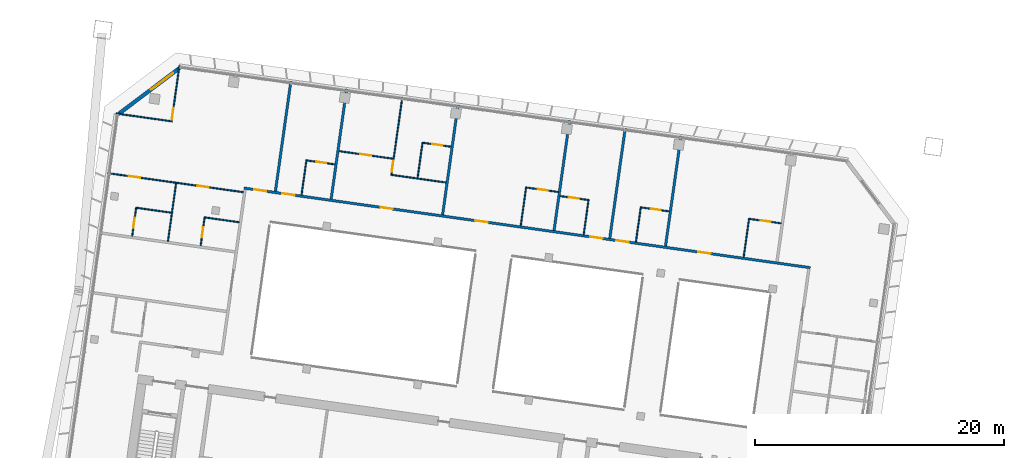
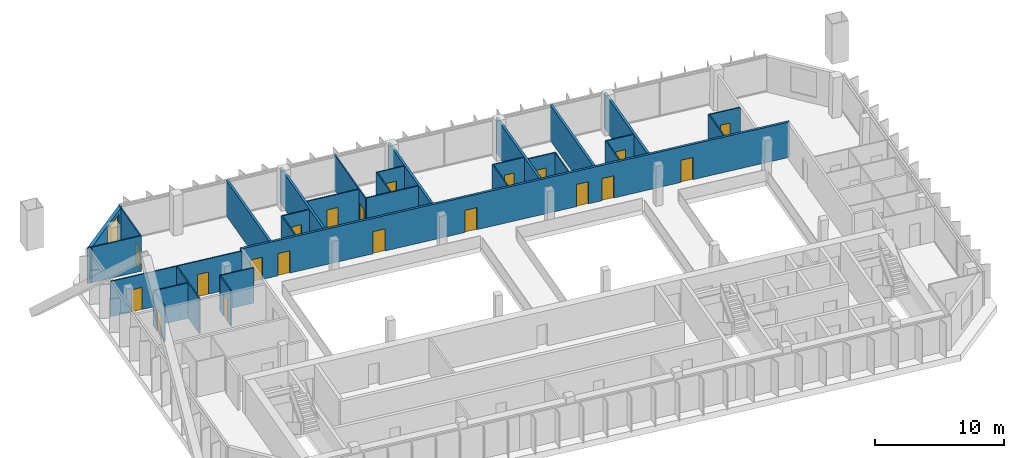
# One storey, part 18 of 28: 31 walls, 20 doors, 1 window, 21 openings.
"""IFC4 building model written with IfcOpenShell, lengths in metres."""

from ifc_helpers import new_model, si_unit, direction, frame, frame_2d, origin, place, context, subcontext, project, spatial, rectangle, extrude, material, layer, layer_set, type_object, element, fill, save


model = new_model("IFC4")

# Units and contexts
model_context = context("Model", 3, precision=1e-05, world=origin(), true_north=direction((0.0, 1.0)))
body_context = subcontext(model_context, "Body", "Model", "MODEL_VIEW")
ifc_project = project(units=[si_unit("LENGTHUNIT", "METRE"), si_unit("AREAUNIT", "SQUARE_METRE"), si_unit("VOLUMEUNIT", "CUBIC_METRE"), si_unit("PLANEANGLEUNIT", "RADIAN"), si_unit("MASSUNIT", "GRAM", prefix="KILO")], contexts=[model_context])

# Site, building, storey
site_placement = place(None, origin())
site = spatial("IfcSite", under=ifc_project, at=site_placement, CompositionType="ELEMENT")
building_placement = place(site_placement, origin())
building = spatial("IfcBuilding", under=site, at=building_placement, Name="Mirante Cascada Hotel Towers", CompositionType="ELEMENT")
storey_placement = place(building_placement, frame((0.0, 0.0, 165.0)))
storey = spatial("IfcBuildingStorey", under=building, at=storey_placement, Name="L38", CompositionType="ELEMENT", Elevation=165.0)

# Wall, openings, doors
ifc_material_1 = material(Name="Fire-rated plasterboard on metal studs")
ifc_layer_1 = layer(ifc_material_1, 0.2)
ifc_layer_set_1 = layer_set([ifc_layer_1], Name="Compartment wall 200 EI 120")
wall_type_1 = type_object("IfcWallType", Name="Compartment wall 200 EI 120", PredefinedType="PARTITIONING", material=ifc_layer_set_1)
wall_1_placement = place(storey_placement, frame((-34.6489, 8.7516, 0.0), z_axis=(0.0, 0.0, 1.0), x_axis=(-0.9902679, 0.1391743, 0.0)))
wall_1 = element("IfcWall", 1, at=wall_1_placement, inside=storey, type_object=wall_type_1, Name="Wall 1-L38-15", PredefinedType="PARTITIONING", context=body_context, shape_type="SweptSolid", body=[
    extrude(rectangle(XDim=45.9, YDim=0.2, at=frame_2d((22.95, 0.0))), origin(), (0.0, 0.0, 1.0), 3.35),
])
opening_1_placement = place(wall_1_placement, frame((8.081, 0.0, 0.0)))
opening_1 = element("IfcOpeningElement", 2, at=opening_1_placement, cuts=wall_1, Name="Opening D1-L38-11", PredefinedType="OPENING", context=body_context, shape_type="SweptSolid", body=[
    extrude(rectangle(XDim=1.0, YDim=2.1, at=frame_2d((0.5, 1.05))), frame((0.0, 0.1, 0.0), z_axis=(0.0, -1.0, 0.0), x_axis=(1.0, 0.0, 0.0)), (0.0, 0.0, 1.0), 0.2),
])
opening_2_placement = place(wall_1_placement, frame((14.7064, 0.0, 0.0)))
opening_2 = element("IfcOpeningElement", 3, at=opening_2_placement, cuts=wall_1, Name="Opening D1-L38-12", PredefinedType="OPENING", context=body_context, shape_type="SweptSolid", body=[
    extrude(rectangle(XDim=1.0, YDim=2.1, at=frame_2d((0.5, 1.05))), frame((0.0, 0.1, 0.0), z_axis=(0.0, -1.0, 0.0), x_axis=(1.0, 0.0, 0.0)), (0.0, 0.0, 1.0), 0.2),
])
opening_3_placement = place(wall_1_placement, frame((16.8233, 0.0, 0.0)))
opening_3 = element("IfcOpeningElement", 4, at=opening_3_placement, cuts=wall_1, Name="Opening D1-L38-13", PredefinedType="OPENING", context=body_context, shape_type="SweptSolid", body=[
    extrude(rectangle(XDim=1.0, YDim=2.1, at=frame_2d((0.5, 1.05))), frame((0.0, 0.1, 0.0), z_axis=(0.0, -1.0, 0.0), x_axis=(1.0, 0.0, 0.0)), (0.0, 0.0, 1.0), 0.2),
])
opening_4_placement = place(wall_1_placement, frame((26.1486, 0.0, 0.0)))
opening_4 = element("IfcOpeningElement", 5, at=opening_4_placement, cuts=wall_1, Name="Opening D1-L38-14", PredefinedType="OPENING", context=body_context, shape_type="SweptSolid", body=[
    extrude(rectangle(XDim=1.0, YDim=2.1, at=frame_2d((0.5, 1.05))), frame((0.0, 0.1, 0.0), z_axis=(0.0, -1.0, 0.0), x_axis=(1.0, 0.0, 0.0)), (0.0, 0.0, 1.0), 0.2),
])
opening_5_placement = place(wall_1_placement, frame((33.8324, 0.0, 0.0)))
opening_5 = element("IfcOpeningElement", 6, at=opening_5_placement, cuts=wall_1, Name="Opening D1-L38-15", PredefinedType="OPENING", context=body_context, shape_type="SweptSolid", body=[
    extrude(rectangle(XDim=1.0, YDim=2.1, at=frame_2d((0.5, 1.05))), frame((0.0, 0.1, 0.0), z_axis=(0.0, -1.0, 0.0), x_axis=(1.0, 0.0, 0.0)), (0.0, 0.0, 1.0), 0.2),
])
opening_6_placement = place(wall_1_placement, frame((41.8077, 0.0, 0.0)))
opening_6 = element("IfcOpeningElement", 7, at=opening_6_placement, cuts=wall_1, Name="Opening D1-L38-16", PredefinedType="OPENING", context=body_context, shape_type="SweptSolid", body=[
    extrude(rectangle(XDim=1.0, YDim=2.1, at=frame_2d((0.5, 1.05))), frame((0.0, 0.1, 0.0), z_axis=(0.0, -1.0, 0.0), x_axis=(1.0, 0.0, 0.0)), (0.0, 0.0, 1.0), 0.2),
])
opening_7_placement = place(wall_1_placement, frame((44.0831, 0.0, 0.0)))
opening_7 = element("IfcOpeningElement", 8, at=opening_7_placement, cuts=wall_1, Name="Opening D1-L38-17", PredefinedType="OPENING", context=body_context, shape_type="SweptSolid", body=[
    extrude(rectangle(XDim=1.0, YDim=2.1, at=frame_2d((0.5, 1.05))), frame((0.0, 0.1, 0.0), z_axis=(0.0, -1.0, 0.0), x_axis=(1.0, 0.0, 0.0)), (0.0, 0.0, 1.0), 0.2),
])
ifc_material_2 = material(Name="Fire-rated timber door leaf", Category="wood")
door_type_1 = type_object("IfcDoorType", Name="Entrance door DG1 1000x2100 EI 60", OperationType="SINGLE_SWING_LEFT", PredefinedType="DOOR", material=ifc_material_2)
door_1_placement = place(opening_1_placement, frame((1.0, 0.0, 0.0), z_axis=(0.0, 0.0, 1.0), x_axis=(-1.0, 0.0, 0.0)))
door_1 = element("IfcDoor", 9, at=door_1_placement, inside=storey, type_object=door_type_1, Name="Door D1-L38-11", OperationType="SINGLE_SWING_RIGHT", OverallHeight=2.1, OverallWidth=1.0, PredefinedType="DOOR", context=body_context, shape_type="SweptSolid", body=[
    extrude(rectangle(XDim=1.0, YDim=2.1, at=frame_2d((0.5, 1.05))), frame((0.0, 0.025, 0.0), z_axis=(0.0, -1.0, 0.0), x_axis=(1.0, 0.0, 0.0)), (0.0, 0.0, 1.0), 0.05),
])
fill(opening_1, door_1)
door_2_placement = place(opening_2_placement, frame((1.0, 0.0, 0.0), z_axis=(0.0, 0.0, 1.0), x_axis=(-1.0, 0.0, 0.0)))
door_2 = element("IfcDoor", 10, at=door_2_placement, inside=storey, type_object=door_type_1, Name="Door D1-L38-12", OperationType="SINGLE_SWING_RIGHT", OverallHeight=2.1, OverallWidth=1.0, PredefinedType="DOOR", context=body_context, shape_type="SweptSolid", body=[
    extrude(rectangle(XDim=1.0, YDim=2.1, at=frame_2d((0.5, 1.05))), frame((0.0, 0.025, 0.0), z_axis=(0.0, -1.0, 0.0), x_axis=(1.0, 0.0, 0.0)), (0.0, 0.0, 1.0), 0.05),
])
fill(opening_2, door_2)
door_3_placement = place(opening_3_placement, frame((1.0, 0.0, 0.0), z_axis=(0.0, 0.0, 1.0), x_axis=(-1.0, 0.0, 0.0)))
door_3 = element("IfcDoor", 11, at=door_3_placement, inside=storey, type_object=door_type_1, Name="Door D1-L38-13", OperationType="SINGLE_SWING_RIGHT", OverallHeight=2.1, OverallWidth=1.0, PredefinedType="DOOR", context=body_context, shape_type="SweptSolid", body=[
    extrude(rectangle(XDim=1.0, YDim=2.1, at=frame_2d((0.5, 1.05))), frame((0.0, 0.025, 0.0), z_axis=(0.0, -1.0, 0.0), x_axis=(1.0, 0.0, 0.0)), (0.0, 0.0, 1.0), 0.05),
])
fill(opening_3, door_3)
door_4_placement = place(opening_4_placement, frame((1.0, 0.0, 0.0), z_axis=(0.0, 0.0, 1.0), x_axis=(-1.0, 0.0, 0.0)))
door_4 = element("IfcDoor", 12, at=door_4_placement, inside=storey, type_object=door_type_1, Name="Door D1-L38-14", OperationType="SINGLE_SWING_RIGHT", OverallHeight=2.1, OverallWidth=1.0, PredefinedType="DOOR", context=body_context, shape_type="SweptSolid", body=[
    extrude(rectangle(XDim=1.0, YDim=2.1, at=frame_2d((0.5, 1.05))), frame((0.0, 0.025, 0.0), z_axis=(0.0, -1.0, 0.0), x_axis=(1.0, 0.0, 0.0)), (0.0, 0.0, 1.0), 0.05),
])
fill(opening_4, door_4)
door_5_placement = place(opening_5_placement, frame((1.0, 0.0, 0.0), z_axis=(0.0, 0.0, 1.0), x_axis=(-1.0, 0.0, 0.0)))
door_5 = element("IfcDoor", 13, at=door_5_placement, inside=storey, type_object=door_type_1, Name="Door D1-L38-15", OperationType="SINGLE_SWING_RIGHT", OverallHeight=2.1, OverallWidth=1.0, PredefinedType="DOOR", context=body_context, shape_type="SweptSolid", body=[
    extrude(rectangle(XDim=1.0, YDim=2.1, at=frame_2d((0.5, 1.05))), frame((0.0, 0.025, 0.0), z_axis=(0.0, -1.0, 0.0), x_axis=(1.0, 0.0, 0.0)), (0.0, 0.0, 1.0), 0.05),
])
fill(opening_5, door_5)
door_6_placement = place(opening_6_placement, frame((1.0, 0.0, 0.0), z_axis=(0.0, 0.0, 1.0), x_axis=(-1.0, 0.0, 0.0)))
door_6 = element("IfcDoor", 14, at=door_6_placement, inside=storey, type_object=door_type_1, Name="Door D1-L38-16", OperationType="SINGLE_SWING_RIGHT", OverallHeight=2.1, OverallWidth=1.0, PredefinedType="DOOR", context=body_context, shape_type="SweptSolid", body=[
    extrude(rectangle(XDim=1.0, YDim=2.1, at=frame_2d((0.5, 1.05))), frame((0.0, 0.025, 0.0), z_axis=(0.0, -1.0, 0.0), x_axis=(1.0, 0.0, 0.0)), (0.0, 0.0, 1.0), 0.05),
])
fill(opening_6, door_6)
door_7_placement = place(opening_7_placement, frame((1.0, 0.0, 0.0), z_axis=(0.0, 0.0, 1.0), x_axis=(-1.0, 0.0, 0.0)))
door_7 = element("IfcDoor", 15, at=door_7_placement, inside=storey, type_object=door_type_1, Name="Door D1-L38-17", OperationType="SINGLE_SWING_RIGHT", OverallHeight=2.1, OverallWidth=1.0, PredefinedType="DOOR", context=body_context, shape_type="SweptSolid", body=[
    extrude(rectangle(XDim=1.0, YDim=2.1, at=frame_2d((0.5, 1.05))), frame((0.0, 0.025, 0.0), z_axis=(0.0, -1.0, 0.0), x_axis=(1.0, 0.0, 0.0)), (0.0, 0.0, 1.0), 0.05),
])
fill(opening_7, door_7)

# Walls
wall_2_placement = place(storey_placement, frame((-45.0299, 19.299, 0.0), z_axis=(0.0, 0.0, 1.0), x_axis=(-0.139181, -0.990267, 0.0)))
element("IfcWall", 16, at=wall_2_placement, inside=storey, type_object=wall_type_1, Name="Wall 1-L38-32", PredefinedType="PARTITIONING", context=body_context, shape_type="SweptSolid", body=[
    extrude(rectangle(XDim=8.8999, YDim=0.2, at=frame_2d((4.45, 0.0))), origin(), (0.0, 0.0, 1.0), 3.35),
])
for number, where, z_axis, x_axis, name in (
    (17, (-49.5029, 19.9277, 0.0), (0.0, 0.0, 1.0), (-0.1391684, -0.9902687, 0.0), "Wall 1-L38-34"),
    (18, (-53.9758, 20.5563, 0.0), (0.0, 0.0, 1.0), (-0.1391684, -0.9902687, 0.0), "Wall 1-L38-36"),
    (19, (-62.9217, 21.8136, 0.0), (0.0, 0.0, 1.0), (-0.1391684, -0.9902687, 0.0), "Wall 1-L38-38"),
    (20, (-73.1062, 14.2574, 0.0), (0.0, 0.0, 1.0), (0.1391684, 0.9902687, 0.0), "Wall 1-L38-41"),
    (21, (-77.5792, 14.8861, 0.0), (0.0, 0.0, 1.0), (0.1391794, 0.9902672, 0.0), "Wall 1-L38-43"),
):
    element("IfcWall", number, at=place(storey_placement, frame(where, z_axis=z_axis, x_axis=x_axis)), inside=storey, type_object=wall_type_1, Name=name, PredefinedType="PARTITIONING", context=body_context, shape_type="SweptSolid", body=[
        extrude(rectangle(XDim=8.9, YDim=0.2, at=frame_2d((4.45, 0.0))), origin(), (0.0, 0.0, 1.0), 3.35),
    ])
ifc_material_3 = material(Name="Plasterboard on metal studs")
ifc_layer_2 = layer(ifc_material_3, 0.1)
ifc_layer_set_2 = layer_set([ifc_layer_2], Name="Partition 100")
wall_type_2 = type_object("IfcWallType", Name="Partition 100", PredefinedType="PARTITIONING", material=ifc_layer_set_2)
wall_3_placement = place(storey_placement, frame((-83.3095, 12.7966, 0.0), z_axis=(0.0, 0.0, 1.0), x_axis=(0.9902649, -0.1391957, 0.0)))
element("IfcWall", 22, at=wall_3_placement, inside=storey, type_object=wall_type_2, Name="Wall 1-L38-12", PredefinedType="PARTITIONING", context=body_context, shape_type="SweptSolid", body=[
    extrude(rectangle(XDim=2.8499, YDim=0.1, at=frame_2d((1.425, 0.0))), origin(), (0.0, 0.0, 1.0), 3.35),
])
wall_4_placement = place(storey_placement, frame((-85.9337, 13.1654, 0.0), z_axis=(0.0, 0.0, 1.0), x_axis=(-0.9902683, 0.1391714, 0.0)))
element("IfcWall", 23, at=wall_4_placement, inside=storey, type_object=wall_type_2, Name="Wall 1-L38-13", PredefinedType="PARTITIONING", context=body_context, shape_type="SweptSolid", body=[
    extrude(rectangle(XDim=2.9, YDim=0.1, at=frame_2d((1.45, 0.0))), origin(), (0.0, 0.0, 1.0), 3.35),
])

# Wall, openings, doors
wall_5_placement = place(storey_placement, frame((-91.0415, 16.3405, 0.0), z_axis=(0.0, 0.0, 1.0), x_axis=(0.990268, -0.1391733, 0.0)))
wall_5 = element("IfcWall", 24, at=wall_5_placement, inside=storey, type_object=wall_type_2, Name="Wall 1-L38-14", PredefinedType="PARTITIONING", context=body_context, shape_type="SweptSolid", body=[
    extrude(rectangle(XDim=11.0, YDim=0.1, at=frame_2d((5.5, 0.0))), origin(), (0.0, 0.0, 1.0), 3.35),
])
opening_8_placement = place(wall_5_placement, frame((7.275, 0.0, 0.0)))
opening_8 = element("IfcOpeningElement", 25, at=opening_8_placement, cuts=wall_5, Name="Opening D1-L38-09", PredefinedType="OPENING", context=body_context, shape_type="SweptSolid", body=[
    extrude(rectangle(XDim=0.9, YDim=2.1, at=frame_2d((0.45, 1.05))), frame((0.0, 0.05, 0.0), z_axis=(0.0, -1.0, 0.0), x_axis=(1.0, 0.0, 0.0)), (0.0, 0.0, 1.0), 0.1),
])
opening_9_placement = place(wall_5_placement, frame((1.725, 0.0, 0.0)))
opening_9 = element("IfcOpeningElement", 26, at=opening_9_placement, cuts=wall_5, Name="Opening D1-L38-10", PredefinedType="OPENING", context=body_context, shape_type="SweptSolid", body=[
    extrude(rectangle(XDim=0.9, YDim=2.1, at=frame_2d((0.45, 1.05))), frame((0.0, 0.05, 0.0), z_axis=(0.0, -1.0, 0.0), x_axis=(1.0, 0.0, 0.0)), (0.0, 0.0, 1.0), 0.1),
])
ifc_material_4 = material(Name="Timber door leaf", Category="wood")
door_type_2 = type_object("IfcDoorType", Name="Room door DG3 900x2100", OperationType="SINGLE_SWING_LEFT", PredefinedType="DOOR", material=ifc_material_4)
door_8_placement = place(opening_8_placement, origin())
door_8 = element("IfcDoor", 27, at=door_8_placement, inside=storey, type_object=door_type_2, Name="Door D1-L38-09", OperationType="SINGLE_SWING_LEFT", OverallHeight=2.1, OverallWidth=0.9, PredefinedType="DOOR", context=body_context, shape_type="SweptSolid", body=[
    extrude(rectangle(XDim=0.9, YDim=2.1, at=frame_2d((0.45, 1.05))), frame((0.0, 0.025, 0.0), z_axis=(0.0, -1.0, 0.0), x_axis=(1.0, 0.0, 0.0)), (0.0, 0.0, 1.0), 0.05),
])
fill(opening_8, door_8)
door_9_placement = place(opening_9_placement, origin())
door_9 = element("IfcDoor", 28, at=door_9_placement, inside=storey, type_object=door_type_2, Name="Door D1-L38-10", OperationType="SINGLE_SWING_LEFT", OverallHeight=2.1, OverallWidth=0.9, PredefinedType="DOOR", context=body_context, shape_type="SweptSolid", body=[
    extrude(rectangle(XDim=0.9, YDim=2.1, at=frame_2d((0.45, 1.05))), frame((0.0, 0.025, 0.0), z_axis=(0.0, -1.0, 0.0), x_axis=(1.0, 0.0, 0.0)), (0.0, 0.0, 1.0), 0.05),
])
fill(opening_9, door_9)

# Wall
wall_6_placement = place(storey_placement, frame((-68.2219, 16.1965, 0.0), z_axis=(0.0, 0.0, 1.0), x_axis=(0.9902698, -0.1391608, 0.0)))
element("IfcWall", 29, at=wall_6_placement, inside=storey, type_object=wall_type_2, Name="Wall 1-L38-16", PredefinedType="PARTITIONING", context=body_context, shape_type="SweptSolid", body=[
    extrude(rectangle(XDim=4.3669, YDim=0.1, at=frame_2d((2.1834, 0.0))), origin(), (0.0, 0.0, 1.0), 3.35),
])

# Wall, opening, door
wall_7_placement = place(storey_placement, frame((-45.9779, 13.2723, 0.0), z_axis=(0.0, 0.0, 1.0), x_axis=(-0.9902643, 0.1391997, 0.0)))
wall_7 = element("IfcWall", 30, at=wall_7_placement, inside=storey, type_object=wall_type_2, Name="Wall 1-L38-17", PredefinedType="PARTITIONING", context=body_context, shape_type="SweptSolid", body=[
    extrude(rectangle(XDim=2.25, YDim=0.1, at=frame_2d((1.125, 0.0))), origin(), (0.0, 0.0, 1.0), 3.35),
])
opening_10_placement = place(wall_7_placement, frame((0.7, 0.0, 0.0)))
opening_10 = element("IfcOpeningElement", 31, at=opening_10_placement, cuts=wall_7, Name="Opening D1-L38-18", PredefinedType="OPENING", context=body_context, shape_type="SweptSolid", body=[
    extrude(rectangle(XDim=0.8, YDim=2.1, at=frame_2d((0.4, 1.05))), frame((0.0, 0.05, 0.0), z_axis=(0.0, -1.0, 0.0), x_axis=(1.0, 0.0, 0.0)), (0.0, 0.0, 1.0), 0.1),
])
ifc_material_5 = material(Name="Timber door leaf", Category="wood")
door_type_3 = type_object("IfcDoorType", Name="Bathroom door DG4 800x2100", OperationType="SINGLE_SWING_LEFT", PredefinedType="DOOR", material=ifc_material_5)
door_10_placement = place(opening_10_placement, frame((0.8, 0.0, 0.0), z_axis=(0.0, 0.0, 1.0), x_axis=(-1.0, 0.0, 0.0)))
door_10 = element("IfcDoor", 32, at=door_10_placement, inside=storey, type_object=door_type_3, Name="Door D1-L38-18", OperationType="SINGLE_SWING_RIGHT", OverallHeight=2.1, OverallWidth=0.8, PredefinedType="DOOR", context=body_context, shape_type="SweptSolid", body=[
    extrude(rectangle(XDim=0.8, YDim=2.1, at=frame_2d((0.4, 1.05))), frame((0.0, 0.025, 0.0), z_axis=(0.0, -1.0, 0.0), x_axis=(1.0, 0.0, 0.0)), (0.0, 0.0, 1.0), 0.05),
])
fill(opening_10, door_10)

wall_8_placement = place(storey_placement, frame((-54.7257, 14.5018, 0.0), z_axis=(0.0, 0.0, 1.0), x_axis=(0.9902643, -0.1391997, 0.0)))
wall_8 = element("IfcWall", 33, at=wall_8_placement, inside=storey, type_object=wall_type_2, Name="Wall 1-L38-18", PredefinedType="PARTITIONING", context=body_context, shape_type="SweptSolid", body=[
    extrude(rectangle(XDim=2.25, YDim=0.1, at=frame_2d((1.125, 0.0))), origin(), (0.0, 0.0, 1.0), 3.35),
])
opening_11_placement = place(wall_8_placement, frame((0.7, 0.0, 0.0)))
opening_11 = element("IfcOpeningElement", 34, at=opening_11_placement, cuts=wall_8, Name="Opening D1-L38-19", PredefinedType="OPENING", context=body_context, shape_type="SweptSolid", body=[
    extrude(rectangle(XDim=0.8, YDim=2.1, at=frame_2d((0.4, 1.05))), frame((0.0, 0.05, 0.0), z_axis=(0.0, -1.0, 0.0), x_axis=(1.0, 0.0, 0.0)), (0.0, 0.0, 1.0), 0.1),
])
door_11_placement = place(opening_11_placement, origin())
door_11 = element("IfcDoor", 35, at=door_11_placement, inside=storey, type_object=door_type_3, Name="Door D1-L38-19", OperationType="SINGLE_SWING_LEFT", OverallHeight=2.1, OverallWidth=0.8, PredefinedType="DOOR", context=body_context, shape_type="SweptSolid", body=[
    extrude(rectangle(XDim=0.8, YDim=2.1, at=frame_2d((0.4, 1.05))), frame((0.0, 0.025, 0.0), z_axis=(0.0, -1.0, 0.0), x_axis=(1.0, 0.0, 0.0)), (0.0, 0.0, 1.0), 0.05),
])
fill(opening_11, door_11)

wall_9_placement = place(storey_placement, frame((-72.8156, 17.0441, 0.0), z_axis=(0.0, 0.0, 1.0), x_axis=(-0.9902705, 0.1391561, 0.0)))
wall_9 = element("IfcWall", 36, at=wall_9_placement, inside=storey, type_object=wall_type_2, Name="Wall 1-L38-19", PredefinedType="PARTITIONING", context=body_context, shape_type="SweptSolid", body=[
    extrude(rectangle(XDim=2.25, YDim=0.1, at=frame_2d((1.125, 0.0))), origin(), (0.0, 0.0, 1.0), 3.35),
])
opening_12_placement = place(wall_9_placement, frame((0.7, 0.0, 0.0)))
opening_12 = element("IfcOpeningElement", 37, at=opening_12_placement, cuts=wall_9, Name="Opening D1-L38-20", PredefinedType="OPENING", context=body_context, shape_type="SweptSolid", body=[
    extrude(rectangle(XDim=0.8, YDim=2.1, at=frame_2d((0.4, 1.05))), frame((0.0, 0.05, 0.0), z_axis=(0.0, -1.0, 0.0), x_axis=(1.0, 0.0, 0.0)), (0.0, 0.0, 1.0), 0.1),
])
door_12_placement = place(opening_12_placement, frame((0.8, 0.0, 0.0), z_axis=(0.0, 0.0, 1.0), x_axis=(-1.0, 0.0, 0.0)))
door_12 = element("IfcDoor", 38, at=door_12_placement, inside=storey, type_object=door_type_3, Name="Door D1-L38-20", OperationType="SINGLE_SWING_RIGHT", OverallHeight=2.1, OverallWidth=0.8, PredefinedType="DOOR", context=body_context, shape_type="SweptSolid", body=[
    extrude(rectangle(XDim=0.8, YDim=2.1, at=frame_2d((0.4, 1.05))), frame((0.0, 0.025, 0.0), z_axis=(0.0, -1.0, 0.0), x_axis=(1.0, 0.0, 0.0)), (0.0, 0.0, 1.0), 0.05),
])
fill(opening_12, door_12)

wall_10_placement = place(storey_placement, frame((-39.5154, 12.667, 0.0), z_axis=(0.0, 0.0, 1.0), x_axis=(0.990267, -0.1391809, 0.0)))
wall_10 = element("IfcWall", 39, at=wall_10_placement, inside=storey, type_object=wall_type_2, Name="Wall 1-L38-20", PredefinedType="PARTITIONING", context=body_context, shape_type="SweptSolid", body=[
    extrude(rectangle(XDim=2.5499, YDim=0.1, at=frame_2d((1.275, 0.0))), origin(), (0.0, 0.0, 1.0), 3.35),
])
opening_13_placement = place(wall_10_placement, frame((0.9, 0.0, 0.0)))
opening_13 = element("IfcOpeningElement", 40, at=opening_13_placement, cuts=wall_10, Name="Opening D1-L38-21", PredefinedType="OPENING", context=body_context, shape_type="SweptSolid", body=[
    extrude(rectangle(XDim=0.8, YDim=2.1, at=frame_2d((0.4, 1.05))), frame((0.0, 0.05, 0.0), z_axis=(0.0, -1.0, 0.0), x_axis=(1.0, 0.0, 0.0)), (0.0, 0.0, 1.0), 0.1),
])
door_13_placement = place(opening_13_placement, origin())
door_13 = element("IfcDoor", 41, at=door_13_placement, inside=storey, type_object=door_type_3, Name="Door D1-L38-21", OperationType="SINGLE_SWING_LEFT", OverallHeight=2.1, OverallWidth=0.8, PredefinedType="DOOR", context=body_context, shape_type="SweptSolid", body=[
    extrude(rectangle(XDim=0.8, YDim=2.1, at=frame_2d((0.4, 1.05))), frame((0.0, 0.025, 0.0), z_axis=(0.0, -1.0, 0.0), x_axis=(1.0, 0.0, 0.0)), (0.0, 0.0, 1.0), 0.05),
])
fill(opening_13, door_13)

wall_11_placement = place(storey_placement, frame((-54.882, 14.8267, 0.0), z_axis=(0.0, 0.0, 1.0), x_axis=(-0.9902677, 0.1391755, 0.0)))
wall_11 = element("IfcWall", 42, at=wall_11_placement, inside=storey, type_object=wall_type_2, Name="Wall 1-L38-21", PredefinedType="PARTITIONING", context=body_context, shape_type="SweptSolid", body=[
    extrude(rectangle(XDim=2.55, YDim=0.1, at=frame_2d((1.275, 0.0))), origin(), (0.0, 0.0, 1.0), 3.35),
])
opening_14_placement = place(wall_11_placement, frame((0.85, 0.0, 0.0)))
opening_14 = element("IfcOpeningElement", 43, at=opening_14_placement, cuts=wall_11, Name="Opening D1-L38-22", PredefinedType="OPENING", context=body_context, shape_type="SweptSolid", body=[
    extrude(rectangle(XDim=0.8, YDim=2.1, at=frame_2d((0.4, 1.05))), frame((0.0, 0.05, 0.0), z_axis=(0.0, -1.0, 0.0), x_axis=(1.0, 0.0, 0.0)), (0.0, 0.0, 1.0), 0.1),
])
door_14_placement = place(opening_14_placement, frame((0.8, 0.0, 0.0), z_axis=(0.0, 0.0, 1.0), x_axis=(-1.0, 0.0, 0.0)))
door_14 = element("IfcDoor", 44, at=door_14_placement, inside=storey, type_object=door_type_3, Name="Door D1-L38-22", OperationType="SINGLE_SWING_RIGHT", OverallHeight=2.1, OverallWidth=0.8, PredefinedType="DOOR", context=body_context, shape_type="SweptSolid", body=[
    extrude(rectangle(XDim=0.8, YDim=2.1, at=frame_2d((0.4, 1.05))), frame((0.0, 0.025, 0.0), z_axis=(0.0, -1.0, 0.0), x_axis=(1.0, 0.0, 0.0)), (0.0, 0.0, 1.0), 0.05),
])
fill(opening_14, door_14)

wall_12_placement = place(storey_placement, frame((-72.4644, 18.1056, 0.0), z_axis=(0.0, 0.0, 1.0), x_axis=(0.9902666, -0.1391833, 0.0)))
wall_12 = element("IfcWall", 45, at=wall_12_placement, inside=storey, type_object=wall_type_2, Name="Wall 1-L38-22", PredefinedType="PARTITIONING", context=body_context, shape_type="SweptSolid", body=[
    extrude(rectangle(XDim=4.3669, YDim=0.1, at=frame_2d((2.1834, 0.0))), origin(), (0.0, 0.0, 1.0), 3.35),
])
opening_15_placement = place(wall_12_placement, frame((1.7085, 0.0, 0.0)))
opening_15 = element("IfcOpeningElement", 46, at=opening_15_placement, cuts=wall_12, Name="Opening D1-L38-23", PredefinedType="OPENING", context=body_context, shape_type="SweptSolid", body=[
    extrude(rectangle(XDim=0.9, YDim=2.1, at=frame_2d((0.45, 1.05))), frame((0.0, 0.05, 0.0), z_axis=(0.0, -1.0, 0.0), x_axis=(1.0, 0.0, 0.0)), (0.0, 0.0, 1.0), 0.1),
])
door_15_placement = place(opening_15_placement, frame((0.9, 0.0, 0.0), z_axis=(0.0, 0.0, 1.0), x_axis=(-1.0, 0.0, 0.0)))
door_15 = element("IfcDoor", 47, at=door_15_placement, inside=storey, type_object=door_type_2, Name="Door D1-L38-23", OperationType="SINGLE_SWING_RIGHT", OverallHeight=2.1, OverallWidth=0.9, PredefinedType="DOOR", context=body_context, shape_type="SweptSolid", body=[
    extrude(rectangle(XDim=0.9, YDim=2.1, at=frame_2d((0.45, 1.05))), frame((0.0, 0.025, 0.0), z_axis=(0.0, -1.0, 0.0), x_axis=(1.0, 0.0, 0.0)), (0.0, 0.0, 1.0), 0.05),
])
fill(opening_15, door_15)

# Wall
wall_13_placement = place(storey_placement, frame((-85.8632, 20.4936, 0.0), z_axis=(0.0, 0.0, 1.0), x_axis=(-0.9902691, 0.1391656, 0.0)))
element("IfcWall", 48, at=wall_13_placement, inside=storey, type_object=wall_type_2, Name="Wall 1-L38-23", PredefinedType="PARTITIONING", context=body_context, shape_type="SweptSolid", body=[
    extrude(rectangle(XDim=4.55, YDim=0.1, at=frame_2d((2.275, 0.0))), origin(), (0.0, 0.0, 1.0), 3.35),
])

# Wall, opening, door
wall_14_placement = place(storey_placement, frame((-65.722, 18.7737, 0.0), z_axis=(0.0, 0.0, 1.0), x_axis=(0.9902705, -0.1391561, 0.0)))
wall_14 = element("IfcWall", 49, at=wall_14_placement, inside=storey, type_object=wall_type_2, Name="Wall 1-L38-24", PredefinedType="PARTITIONING", context=body_context, shape_type="SweptSolid", body=[
    extrude(rectangle(XDim=2.25, YDim=0.1, at=frame_2d((1.125, 0.0))), origin(), (0.0, 0.0, 1.0), 3.35),
])
opening_16_placement = place(wall_14_placement, frame((0.75, 0.0, 0.0)))
opening_16 = element("IfcOpeningElement", 50, at=opening_16_placement, cuts=wall_14, Name="Opening D1-L38-24", PredefinedType="OPENING", context=body_context, shape_type="SweptSolid", body=[
    extrude(rectangle(XDim=0.8, YDim=2.1, at=frame_2d((0.4, 1.05))), frame((0.0, 0.05, 0.0), z_axis=(0.0, -1.0, 0.0), x_axis=(1.0, 0.0, 0.0)), (0.0, 0.0, 1.0), 0.1),
])
door_16_placement = place(opening_16_placement, origin())
door_16 = element("IfcDoor", 51, at=door_16_placement, inside=storey, type_object=door_type_3, Name="Door D1-L38-24", OperationType="SINGLE_SWING_LEFT", OverallHeight=2.1, OverallWidth=0.8, PredefinedType="DOOR", context=body_context, shape_type="SweptSolid", body=[
    extrude(rectangle(XDim=0.8, YDim=2.1, at=frame_2d((0.4, 1.05))), frame((0.0, 0.025, 0.0), z_axis=(0.0, -1.0, 0.0), x_axis=(1.0, 0.0, 0.0)), (0.0, 0.0, 1.0), 0.05),
])
fill(opening_16, door_16)

# Walls
wall_15_placement = place(storey_placement, frame((-39.9964, 9.6042, 0.0), z_axis=(0.0, 0.0, 1.0), x_axis=(0.1391765, 0.9902676, 0.0)))
element("IfcWall", 52, at=wall_15_placement, inside=storey, type_object=wall_type_2, Name="Wall 1-L38-31", PredefinedType="PARTITIONING", context=body_context, shape_type="SweptSolid", body=[
    extrude(rectangle(XDim=3.15, YDim=0.1, at=frame_2d((1.575, 0.0))), origin(), (0.0, 0.0, 1.0), 3.35),
])
wall_16_placement = place(storey_placement, frame((-48.6452, 10.8197, 0.0), z_axis=(0.0, 0.0, 1.0), x_axis=(0.1391613, 0.9902697, 0.0)))
element("IfcWall", 53, at=wall_16_placement, inside=storey, type_object=wall_type_2, Name="Wall 1-L38-33", PredefinedType="PARTITIONING", context=body_context, shape_type="SweptSolid", body=[
    extrude(rectangle(XDim=2.8499, YDim=0.1, at=frame_2d((1.425, 0.0))), origin(), (0.0, 0.0, 1.0), 3.35),
])
wall_17_placement = place(storey_placement, frame((-52.8378, 11.4089, 0.0), z_axis=(0.0, 0.0, 1.0), x_axis=(0.1391564, 0.9902704, 0.0)))
element("IfcWall", 54, at=wall_17_placement, inside=storey, type_object=wall_type_2, Name="Wall 1-L38-35", PredefinedType="PARTITIONING", context=body_context, shape_type="SweptSolid", body=[
    extrude(rectangle(XDim=2.85, YDim=0.1, at=frame_2d((1.425, 0.0))), origin(), (0.0, 0.0, 1.0), 3.35),
])
wall_18_placement = place(storey_placement, frame((-57.8882, 12.1187, 0.0), z_axis=(0.0, 0.0, 1.0), x_axis=(0.1391765, 0.9902676, 0.0)))
element("IfcWall", 55, at=wall_18_placement, inside=storey, type_object=wall_type_2, Name="Wall 1-L38-37", PredefinedType="PARTITIONING", context=body_context, shape_type="SweptSolid", body=[
    extrude(rectangle(XDim=3.15, YDim=0.1, at=frame_2d((1.575, 0.0))), origin(), (0.0, 0.0, 1.0), 3.35),
])
wall_19_placement = place(storey_placement, frame((-66.1682, 15.9584, 0.0), z_axis=(0.0, 0.0, 1.0), x_axis=(0.1391714, 0.9902683, 0.0)))
element("IfcWall", 56, at=wall_19_placement, inside=storey, type_object=wall_type_2, Name="Wall 1-L38-39", PredefinedType="PARTITIONING", context=body_context, shape_type="SweptSolid", body=[
    extrude(rectangle(XDim=2.9, YDim=0.1, at=frame_2d((1.45, 0.0))), origin(), (0.0, 0.0, 1.0), 3.35),
])

# Wall, opening, door
wall_20_placement = place(storey_placement, frame((-67.3946, 22.4422, 0.0), z_axis=(0.0, 0.0, 1.0), x_axis=(-0.139181, -0.990267, 0.0)))
wall_20 = element("IfcWall", 57, at=wall_20_placement, inside=storey, type_object=wall_type_2, Name="Wall 1-L38-40", PredefinedType="PARTITIONING", context=body_context, shape_type="SweptSolid", body=[
    extrude(rectangle(XDim=6.35, YDim=0.1, at=frame_2d((3.175, 0.0))), origin(), (0.0, 0.0, 1.0), 3.35),
])
opening_17_placement = place(wall_20_placement, frame((5.15, 0.0, 0.0)))
opening_17 = element("IfcOpeningElement", 58, at=opening_17_placement, cuts=wall_20, Name="Opening D1-L38-29", PredefinedType="OPENING", context=body_context, shape_type="SweptSolid", body=[
    extrude(rectangle(XDim=0.9, YDim=2.1, at=frame_2d((0.45, 1.05))), frame((0.0, 0.05, 0.0), z_axis=(0.0, -1.0, 0.0), x_axis=(1.0, 0.0, 0.0)), (0.0, 0.0, 1.0), 0.1),
])
door_17_placement = place(opening_17_placement, frame((0.9, 0.0, 0.0), z_axis=(0.0, 0.0, 1.0), x_axis=(-1.0, 0.0, 0.0)))
door_17 = element("IfcDoor", 59, at=door_17_placement, inside=storey, type_object=door_type_2, Name="Door D1-L38-29", OperationType="SINGLE_SWING_RIGHT", OverallHeight=2.1, OverallWidth=0.9, PredefinedType="DOOR", context=body_context, shape_type="SweptSolid", body=[
    extrude(rectangle(XDim=0.9, YDim=2.1, at=frame_2d((0.45, 1.05))), frame((0.0, 0.025, 0.0), z_axis=(0.0, -1.0, 0.0), x_axis=(1.0, 0.0, 0.0)), (0.0, 0.0, 1.0), 0.05),
])
fill(opening_17, door_17)

# Wall
wall_21_placement = place(storey_placement, frame((-75.0862, 17.4137, 0.0), z_axis=(0.0, 0.0, 1.0), x_axis=(-0.1391957, -0.9902649, 0.0)))
element("IfcWall", 60, at=wall_21_placement, inside=storey, type_object=wall_type_2, Name="Wall 1-L38-42", PredefinedType="PARTITIONING", context=body_context, shape_type="SweptSolid", body=[
    extrude(rectangle(XDim=2.8499, YDim=0.1, at=frame_2d((1.425, 0.0))), origin(), (0.0, 0.0, 1.0), 3.35),
])

# Wall, opening, door
wall_22_placement = place(storey_placement, frame((-83.5801, 10.512, 0.0), z_axis=(0.0, 0.0, 1.0), x_axis=(0.1391561, 0.9902705, 0.0)))
wall_22 = element("IfcWall", 61, at=wall_22_placement, inside=storey, type_object=wall_type_2, Name="Wall 1-L38-45", PredefinedType="PARTITIONING", context=body_context, shape_type="SweptSolid", body=[
    extrude(rectangle(XDim=2.25, YDim=0.1, at=frame_2d((1.125, 0.0))), origin(), (0.0, 0.0, 1.0), 3.35),
])
opening_18_placement = place(wall_22_placement, frame((0.7, 0.0, 0.0)))
opening_18 = element("IfcOpeningElement", 62, at=opening_18_placement, cuts=wall_22, Name="Opening D1-L38-31", PredefinedType="OPENING", context=body_context, shape_type="SweptSolid", body=[
    extrude(rectangle(XDim=0.8, YDim=2.1, at=frame_2d((0.4, 1.05))), frame((0.0, 0.05, 0.0), z_axis=(0.0, -1.0, 0.0), x_axis=(1.0, 0.0, 0.0)), (0.0, 0.0, 1.0), 0.1),
])
door_18_placement = place(opening_18_placement, frame((0.8, 0.0, 0.0), z_axis=(0.0, 0.0, 1.0), x_axis=(-1.0, 0.0, 0.0)))
door_18 = element("IfcDoor", 63, at=door_18_placement, inside=storey, type_object=door_type_3, Name="Door D1-L38-31", OperationType="SINGLE_SWING_RIGHT", OverallHeight=2.1, OverallWidth=0.8, PredefinedType="DOOR", context=body_context, shape_type="SweptSolid", body=[
    extrude(rectangle(XDim=0.8, YDim=2.1, at=frame_2d((0.4, 1.05))), frame((0.0, 0.025, 0.0), z_axis=(0.0, -1.0, 0.0), x_axis=(1.0, 0.0, 0.0)), (0.0, 0.0, 1.0), 0.05),
])
fill(opening_18, door_18)

# Wall
wall_23_placement = place(storey_placement, frame((-85.5525, 15.5186, 0.0), z_axis=(0.0, 0.0, 1.0), x_axis=(-0.139173, -0.9902681, 0.0)))
element("IfcWall", 64, at=wall_23_placement, inside=storey, type_object=wall_type_2, Name="Wall 1-L38-46", PredefinedType="PARTITIONING", context=body_context, shape_type="SweptSolid", body=[
    extrude(rectangle(XDim=4.6834, YDim=0.1, at=frame_2d((2.3417, 0.0))), origin(), (0.0, 0.0, 1.0), 3.35),
])

# Wall, opening, door
wall_24_placement = place(storey_placement, frame((-85.9057, 20.55, 0.0), z_axis=(0.0, 0.0, 1.0), x_axis=(0.1391684, 0.9902687, 0.0)))
wall_24 = element("IfcWall", 65, at=wall_24_placement, inside=storey, type_object=wall_type_2, Name="Wall 1-L38-49", PredefinedType="PARTITIONING", context=body_context, shape_type="SweptSolid", body=[
    extrude(rectangle(XDim=4.45, YDim=0.1, at=frame_2d((2.225, 0.0))), origin(), (0.0, 0.0, 1.0), 3.35),
])
opening_19_placement = place(wall_24_placement, frame((0.1, 0.0, 0.0)))
opening_19 = element("IfcOpeningElement", 66, at=opening_19_placement, cuts=wall_24, Name="Opening D1-L38-33", PredefinedType="OPENING", context=body_context, shape_type="SweptSolid", body=[
    extrude(rectangle(XDim=0.9, YDim=2.1, at=frame_2d((0.45, 1.05))), frame((0.0, 0.05, 0.0), z_axis=(0.0, -1.0, 0.0), x_axis=(1.0, 0.0, 0.0)), (0.0, 0.0, 1.0), 0.1),
])
door_19_placement = place(opening_19_placement, frame((0.9, 0.0, 0.0), z_axis=(0.0, 0.0, 1.0), x_axis=(-1.0, 0.0, 0.0)))
door_19 = element("IfcDoor", 67, at=door_19_placement, inside=storey, type_object=door_type_2, Name="Door D1-L38-33", OperationType="SINGLE_SWING_RIGHT", OverallHeight=2.1, OverallWidth=0.9, PredefinedType="DOOR", context=body_context, shape_type="SweptSolid", body=[
    extrude(rectangle(XDim=0.9, YDim=2.1, at=frame_2d((0.45, 1.05))), frame((0.0, 0.025, 0.0), z_axis=(0.0, -1.0, 0.0), x_axis=(1.0, 0.0, 0.0)), (0.0, 0.0, 1.0), 0.05),
])
fill(opening_19, door_19)

wall_25_placement = place(storey_placement, frame((-88.763, 13.5125, 0.0), z_axis=(0.0, 0.0, 1.0), x_axis=(-0.1391561, -0.9902705, 0.0)))
wall_25 = element("IfcWall", 68, at=wall_25_placement, inside=storey, type_object=wall_type_2, Name="Wall 1-L38-50", PredefinedType="PARTITIONING", context=body_context, shape_type="SweptSolid", body=[
    extrude(rectangle(XDim=2.25, YDim=0.1, at=frame_2d((1.125, 0.0))), origin(), (0.0, 0.0, 1.0), 3.35),
])
opening_20_placement = place(wall_25_placement, frame((0.75, 0.0, 0.0)))
opening_20 = element("IfcOpeningElement", 69, at=opening_20_placement, cuts=wall_25, Name="Opening D1-L38-34", PredefinedType="OPENING", context=body_context, shape_type="SweptSolid", body=[
    extrude(rectangle(XDim=0.8, YDim=2.1, at=frame_2d((0.4, 1.05))), frame((0.0, 0.05, 0.0), z_axis=(0.0, -1.0, 0.0), x_axis=(1.0, 0.0, 0.0)), (0.0, 0.0, 1.0), 0.1),
])
door_20_placement = place(opening_20_placement, origin())
door_20 = element("IfcDoor", 70, at=door_20_placement, inside=storey, type_object=door_type_3, Name="Door D1-L38-34", OperationType="SINGLE_SWING_LEFT", OverallHeight=2.1, OverallWidth=0.8, PredefinedType="DOOR", context=body_context, shape_type="SweptSolid", body=[
    extrude(rectangle(XDim=0.8, YDim=2.1, at=frame_2d((0.4, 1.05))), frame((0.0, 0.025, 0.0), z_axis=(0.0, -1.0, 0.0), x_axis=(1.0, 0.0, 0.0)), (0.0, 0.0, 1.0), 0.05),
])
fill(opening_20, door_20)

# Wall, opening, window
ifc_material_6 = material(Name="Precast concrete C40/50", Category="concrete")
ifc_layer_3 = layer(ifc_material_6, 0.3)
ifc_layer_set_3 = layer_set([ifc_layer_3], Name="Precast concrete C40/50 cladding wall 300")
wall_type_3 = type_object("IfcWallType", Name="Precast concrete C40/50 cladding wall 300", PredefinedType="STANDARD", material=ifc_layer_set_3)
wall_26_placement = place(storey_placement, frame((-90.1795, 21.0817, 0.0), z_axis=(0.0, 0.0, 1.0), x_axis=(0.7986362, 0.6018141, 0.0)))
wall_26 = element("IfcWall", 71, at=wall_26_placement, inside=storey, type_object=wall_type_3, Name="Corner cladding wall T1 L38 outer front", PredefinedType="STANDARD", context=body_context, shape_type="SweptSolid", body=[
    extrude(rectangle(XDim=6.1157, YDim=0.3, at=frame_2d((3.0578, 0.0))), origin(), (0.0, 0.0, 1.0), 3.35),
])
opening_21_placement = place(wall_26_placement, frame((3.2692, 0.0, 0.6)))
opening_21 = element("IfcOpeningElement", 72, at=opening_21_placement, cuts=wall_26, Name="Opening W1-38-02", PredefinedType="OPENING", context=body_context, shape_type="SweptSolid", body=[
    extrude(rectangle(XDim=2.2, YDim=2.4, at=frame_2d((1.1, 1.2))), frame((0.0, 0.15, 0.0), z_axis=(0.0, -1.0, 0.0), x_axis=(1.0, 0.0, 0.0)), (0.0, 0.0, 1.0), 0.3),
])
ifc_material_7 = material(Name="Aluminium frame with clear double glazing", Category="aluminium")
window_type = type_object("IfcWindowType", Name="Corner suite window 2200x2400", PartitioningType="DOUBLE_PANEL_VERTICAL", PredefinedType="WINDOW", material=ifc_material_7)
window_placement = place(opening_21_placement, origin())
window = element("IfcWindow", 73, at=window_placement, inside=storey, type_object=window_type, Name="Window W1-38-02", OverallHeight=2.4, OverallWidth=2.2, PartitioningType="SINGLE_PANEL", PredefinedType="WINDOW", context=body_context, shape_type="SweptSolid", body=[
    extrude(rectangle(XDim=2.2, YDim=2.4, at=frame_2d((1.1, 1.2))), frame((0.0, 0.03, 0.0), z_axis=(0.0, -1.0, 0.0), x_axis=(1.0, 0.0, 0.0)), (0.0, 0.0, 1.0), 0.06),
])
fill(opening_21, window)

save(model, "model.ifc")
